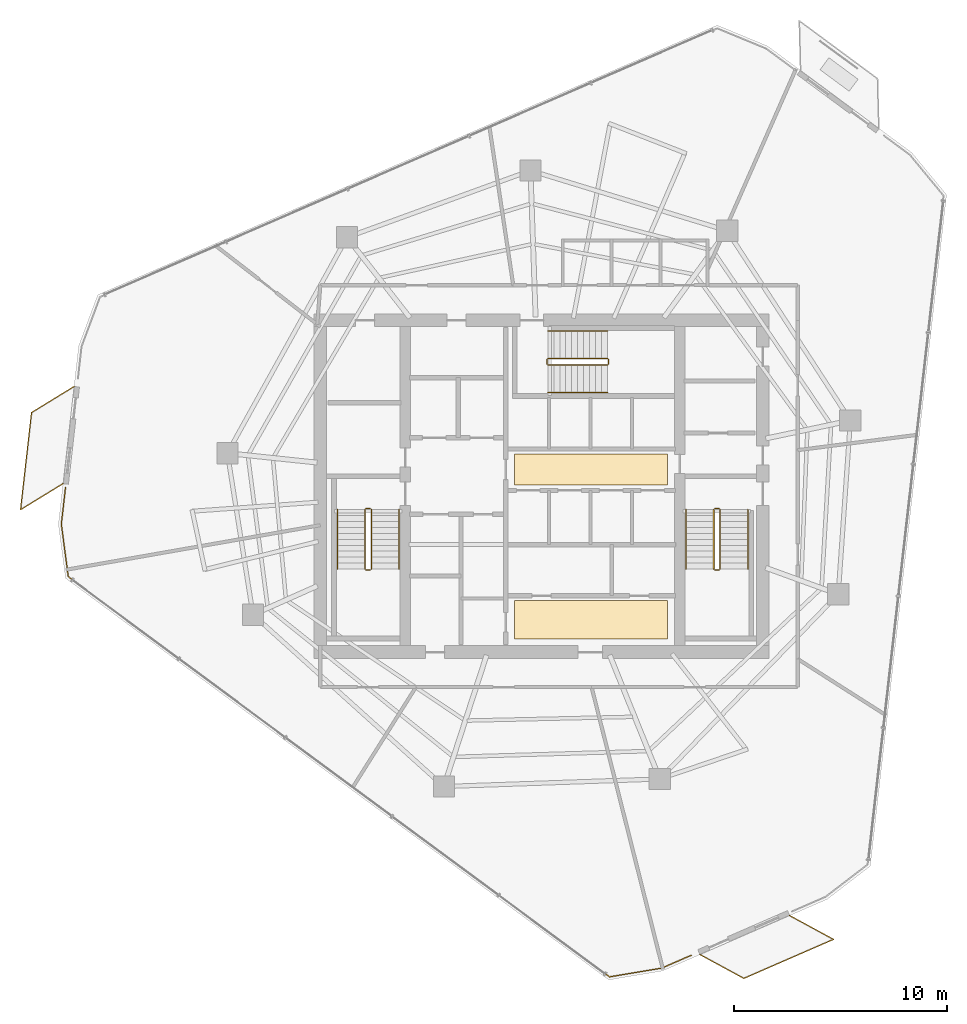
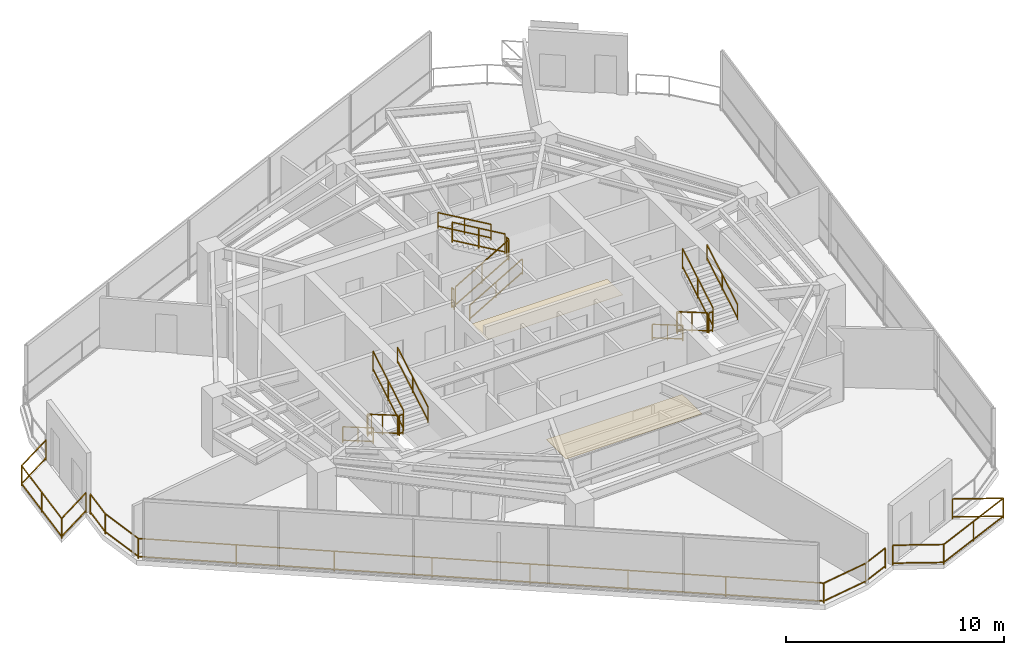
# One storey, part 21 of 22: 21 railings, 2 coverings.
"""IFC4 building model written with IfcOpenShell, lengths in metres."""

from ifc_helpers import new_model, si_unit, direction, frame, origin, origin_2d, place, context, subcontext, project, spatial, rectangle, extrude, material, layer, layer_set, type_object, element, save


model = new_model("IFC4")

# Units and contexts
model_context = context("Model", 3, precision=1e-05, world=origin(), true_north=direction((0.0, 1.0)))
body_context = subcontext(model_context, "Body", "Model", "MODEL_VIEW")
ifc_project = project(units=[si_unit("LENGTHUNIT", "METRE"), si_unit("AREAUNIT", "SQUARE_METRE"), si_unit("VOLUMEUNIT", "CUBIC_METRE"), si_unit("PLANEANGLEUNIT", "RADIAN"), si_unit("MASSUNIT", "GRAM", prefix="KILO")], contexts=[model_context])

# Site, building, storey
site_placement = place(None, origin())
site = spatial("IfcSite", under=ifc_project, at=site_placement, CompositionType="ELEMENT")
building_placement = place(site_placement, origin())
building = spatial("IfcBuilding", under=site, at=building_placement, Name="Qarnah Convention Tower", CompositionType="ELEMENT")
storey_placement = place(building_placement, frame((0.0, 0.0, 154.5)))
storey = spatial("IfcBuildingStorey", under=building, at=storey_placement, Name="L41", CompositionType="ELEMENT", Elevation=154.5)

# Coverings
ifc_material_1 = material(Name="Mineral fibre acoustic ceiling")
ifc_layer_1 = layer(ifc_material_1, 0.02001953125)
ifc_layer_set_1 = layer_set([ifc_layer_1], Name="Mineral fibre acoustic ceiling")
covering_type_1 = type_object("IfcCoveringType", Name="COV-CEIL-20", PredefinedType="CEILING", material=ifc_layer_set_1)
covering_1_placement = place(storey_placement, frame((39.52001953125, 27.179931640625, 2.2900390625), z_axis=(0.0, 0.0, 1.0), x_axis=(1.0, 0.0, 0.0)))
element("IfcCovering", 1, at=covering_1_placement, inside=storey, type_object=covering_type_1, Name="L41 lift lobby acoustic ceiling", PredefinedType="CEILING", context=body_context, shape_type="SweptSolid", body=[
    extrude(rectangle(XDim=7.199951171875, YDim=1.449951171875, at=origin_2d()), origin(), (0.0, 0.0, 1.0), 0.02001953125),
])
ifc_material_2 = material(Name="Porcelain stone floor tile", Category="masonry")
ifc_layer_2 = layer(ifc_material_2, 0.02001953125)
ifc_layer_set_2 = layer_set([ifc_layer_2], Name="Porcelain stone floor tile")
covering_type_2 = type_object("IfcCoveringType", Name="COV-FLOOR-20", PredefinedType="FLOORING", material=ifc_layer_set_2)
covering_2_placement = place(storey_placement, frame((39.52001953125, 20.1201171875, 0.0), z_axis=(0.0, 0.0, 1.0), x_axis=(1.0, 0.0, 0.0)))
element("IfcCovering", 2, at=covering_2_placement, inside=storey, type_object=covering_type_2, Name="L41 lift lobby porcelain stone flooring", PredefinedType="FLOORING", context=body_context, shape_type="SweptSolid", body=[
    extrude(rectangle(XDim=7.199951171875, YDim=1.800048828125, at=origin_2d()), origin(), (0.0, 0.0, 1.0), 0.02001953125),
])

# Railings
ifc_material_3 = material(Name="Black anodised aluminium", Category="aluminium")
railing_type_1 = type_object("IfcRailingType", Name="RL-EXT-GUARD-1150", PredefinedType="GUARDRAIL", material=ifc_material_3)
railing_1_placement = place(storey_placement, frame((44.24609375, 4.343994140625, 0.0)))
element("IfcRailing", 3, at=railing_1_placement, inside=storey, type_object=railing_type_1, Name="L41 slab-edge perimeter safety guard 03", PredefinedType="GUARDRAIL", context=body_context, shape_type="SweptSolid", body=[
    extrude(rectangle(XDim=0.048095703125, YDim=0.048095703125, at=origin_2d()), frame((0.0, 0.0, 1.1259765625), z_axis=(-0.917003613873, -0.398878894082, 0.0), x_axis=(0.398878894082, -0.917003613873, 0.0)), (0.0, 0.0, 1.0), 1.51904296875),
    extrude(rectangle(XDim=0.048095703125, YDim=0.048095703125, at=origin_2d()), frame((0.0, 0.0, 0.1201171875), z_axis=(-0.917003613873, -0.398878894082, 0.0), x_axis=(0.398878894082, -0.917003613873, 0.0)), (0.0, 0.0, 1.0), 1.51904296875),
    extrude(rectangle(XDim=0.048095703125, YDim=0.048095703125, at=origin_2d()), frame((-1.39306640625, -0.60595703125, 1.1259765625), z_axis=(-0.986234231899, -0.165354285794, 0.0), x_axis=(0.165354285794, -0.986234231899, 0.0)), (0.0, 0.0, 1.0), 2.486328125),
    extrude(rectangle(XDim=0.048095703125, YDim=0.048095703125, at=origin_2d()), frame((-1.39306640625, -0.60595703125, 0.1201171875), z_axis=(-0.986234231899, -0.165354285794, 0.0), x_axis=(0.165354285794, -0.986234231899, 0.0)), (0.0, 0.0, 1.0), 2.486328125),
    extrude(rectangle(XDim=0.048095703125, YDim=0.048095703125, at=origin_2d()), frame((-3.84521484375, -1.01708984375, 1.1259765625), z_axis=(-0.804054631043, 0.594555422394, 0.0), x_axis=(-0.594555422394, -0.804054631043, 0.0)), (0.0, 0.0, 1.0), 31.65576171875),
    extrude(rectangle(XDim=0.048095703125, YDim=0.048095703125, at=origin_2d()), frame((-3.84521484375, -1.01708984375, 0.1201171875), z_axis=(-0.804054631043, 0.594555422394, 0.0), x_axis=(-0.594555422394, -0.804054631043, 0.0)), (0.0, 0.0, 1.0), 31.65576171875),
    extrude(rectangle(XDim=0.048095703125, YDim=0.048095703125, at=origin_2d()), frame((-29.298095703125, 17.803955078125, 1.1259765625), z_axis=(-0.131127801985, 0.991365472238, 0.0), x_axis=(-0.991365472238, -0.131127801985, 0.0)), (0.0, 0.0, 1.0), 2.485595703125),
    extrude(rectangle(XDim=0.048095703125, YDim=0.048095703125, at=origin_2d()), frame((-29.298095703125, 17.803955078125, 0.1201171875), z_axis=(-0.131127801985, 0.991365472238, 0.0), x_axis=(-0.991365472238, -0.131127801985, 0.0)), (0.0, 0.0, 1.0), 2.485595703125),
    extrude(rectangle(XDim=0.048095703125, YDim=0.048095703125, at=origin_2d()), frame((-29.6240234375, 20.26806640625, 1.1259765625), z_axis=(0.112678406227, 0.99363150955, 0.0), x_axis=(-0.99363150955, 0.112678406227, 0.0)), (0.0, 0.0, 1.0), 1.72900390625),
    extrude(rectangle(XDim=0.048095703125, YDim=0.048095703125, at=origin_2d()), frame((-29.6240234375, 20.26806640625, 0.1201171875), z_axis=(0.112678406227, 0.99363150955, 0.0), x_axis=(-0.99363150955, 0.112678406227, 0.0)), (0.0, 0.0, 1.0), 1.72900390625),
    extrude(rectangle(XDim=0.0419921875, YDim=0.0419921875, at=origin_2d()), origin(), (0.0, 0.0, 1.0), 1.101806640625),
    extrude(rectangle(XDim=0.0419921875, YDim=0.0419921875, at=origin_2d()), frame((-1.39306640625, -0.60595703125, 0.0)), (0.0, 0.0, 1.0), 1.101806640625),
    extrude(rectangle(XDim=0.0419921875, YDim=0.0419921875, at=origin_2d()), frame((-3.84521484375, -1.01708984375, 0.0)), (0.0, 0.0, 1.0), 1.101806640625),
    extrude(rectangle(XDim=0.0419921875, YDim=0.0419921875, at=origin_2d()), frame((-7.4814453125, 1.671630859375, 0.0)), (0.0, 0.0, 1.0), 1.101806640625),
    extrude(rectangle(XDim=0.0419921875, YDim=0.0419921875, at=origin_2d()), frame((-11.117431640625, 4.3603515625, 0.0)), (0.0, 0.0, 1.0), 1.101806640625),
    extrude(rectangle(XDim=0.0419921875, YDim=0.0419921875, at=origin_2d()), frame((-14.753662109375, 7.049072265625, 0.0)), (0.0, 0.0, 1.0), 1.101806640625),
    extrude(rectangle(XDim=0.0419921875, YDim=0.0419921875, at=origin_2d()), frame((-18.3896484375, 9.73779296875, 0.0)), (0.0, 0.0, 1.0), 1.101806640625),
    extrude(rectangle(XDim=0.0419921875, YDim=0.0419921875, at=origin_2d()), frame((-22.02587890625, 12.426513671875, 0.0)), (0.0, 0.0, 1.0), 1.101806640625),
    extrude(rectangle(XDim=0.0419921875, YDim=0.0419921875, at=origin_2d()), frame((-25.661865234375, 15.115234375, 0.0)), (0.0, 0.0, 1.0), 1.101806640625),
    extrude(rectangle(XDim=0.0419921875, YDim=0.0419921875, at=origin_2d()), frame((-29.298095703125, 17.803955078125, 0.0)), (0.0, 0.0, 1.0), 1.101806640625),
    extrude(rectangle(XDim=0.0419921875, YDim=0.0419921875, at=origin_2d()), frame((-29.6240234375, 20.26806640625, 0.0)), (0.0, 0.0, 1.0), 1.101806640625),
    extrude(rectangle(XDim=0.0419921875, YDim=0.0419921875, at=origin_2d()), frame((-29.42919921875, 21.986083984375, 0.0)), (0.0, 0.0, 1.0), 1.101806640625),
])
railing_2_placement = place(storey_placement, frame((14.702880859375, 26.51806640625, 0.0)))
element("IfcRailing", 4, at=railing_2_placement, inside=storey, type_object=railing_type_1, Name="L41 balcony safety guard BAL-L41-C2", PredefinedType="GUARDRAIL", context=body_context, shape_type="SweptSolid", body=[
    extrude(rectangle(XDim=0.048095703125, YDim=0.048095703125, at=origin_2d()), frame((0.0, 0.0, 1.1259765625), z_axis=(-0.852478649535, -0.522762041552, 0.0), x_axis=(0.522762041552, -0.852478649535, 0.0)), (0.0, 0.0, 1.0), 2.34716796875),
    extrude(rectangle(XDim=0.048095703125, YDim=0.048095703125, at=origin_2d()), frame((0.0, 0.0, 0.1201171875), z_axis=(-0.852478649535, -0.522762041552, 0.0), x_axis=(0.522762041552, -0.852478649535, 0.0)), (0.0, 0.0, 1.0), 2.34716796875),
    extrude(rectangle(XDim=0.048095703125, YDim=0.048095703125, at=origin_2d()), frame((-2.0009765625, -1.22705078125, 1.1259765625), z_axis=(0.112825144944, 0.993614858317, 0.0), x_axis=(-0.993614858317, 0.112825144944, 0.0)), (0.0, 0.0, 1.0), 4.600341796875),
    extrude(rectangle(XDim=0.048095703125, YDim=0.048095703125, at=origin_2d()), frame((-2.0009765625, -1.22705078125, 0.1201171875), z_axis=(0.112825144944, 0.993614858317, 0.0), x_axis=(-0.993614858317, 0.112825144944, 0.0)), (0.0, 0.0, 1.0), 4.600341796875),
    extrude(rectangle(XDim=0.048095703125, YDim=0.048095703125, at=origin_2d()), frame((-1.48193359375, 3.343994140625, 1.1259765625), z_axis=(0.852478649535, 0.522762041552, 0.0), x_axis=(-0.522762041552, 0.852478649535, 0.0)), (0.0, 0.0, 1.0), 2.34716796875),
    extrude(rectangle(XDim=0.048095703125, YDim=0.048095703125, at=origin_2d()), frame((-1.48193359375, 3.343994140625, 0.1201171875), z_axis=(0.852478649535, 0.522762041552, 0.0), x_axis=(-0.522762041552, 0.852478649535, 0.0)), (0.0, 0.0, 1.0), 2.34716796875),
    extrude(rectangle(XDim=0.0419921875, YDim=0.0419921875, at=origin_2d()), origin(), (0.0, 0.0, 1.0), 1.101806640625),
    extrude(rectangle(XDim=0.0419921875, YDim=0.0419921875, at=origin_2d()), frame((-2.0009765625, -1.22705078125, 0.0)), (0.0, 0.0, 1.0), 1.101806640625),
    extrude(rectangle(XDim=0.0419921875, YDim=0.0419921875, at=origin_2d()), frame((-1.741455078125, 1.05859375, 0.0)), (0.0, 0.0, 1.0), 1.101806640625),
    extrude(rectangle(XDim=0.0419921875, YDim=0.0419921875, at=origin_2d()), frame((-1.48193359375, 3.343994140625, 0.0)), (0.0, 0.0, 1.0), 1.101806640625),
    extrude(rectangle(XDim=0.0419921875, YDim=0.0419921875, at=origin_2d()), frame((0.51904296875, 4.571044921875, 0.0)), (0.0, 0.0, 1.0), 1.101806640625),
])
railing_3_placement = place(storey_placement, frame((48.8701171875, 6.208984375, 0.0)))
element("IfcRailing", 5, at=railing_3_placement, inside=storey, type_object=railing_type_1, Name="L41 balcony safety guard BAL-L41-C3", PredefinedType="GUARDRAIL", context=body_context, shape_type="SweptSolid", body=[
    extrude(rectangle(XDim=0.048095703125, YDim=0.048095703125, at=origin_2d()), frame((0.0, 0.0, 1.1259765625), z_axis=(0.879034072482, -0.476758953158, 0.0), x_axis=(0.476758953158, 0.879034072482, 0.0)), (0.0, 0.0, 1.0), 2.346923828125),
    extrude(rectangle(XDim=0.048095703125, YDim=0.048095703125, at=origin_2d()), frame((0.0, 0.0, 0.1201171875), z_axis=(0.879034072482, -0.476758953158, 0.0), x_axis=(0.476758953158, 0.879034072482, 0.0)), (0.0, 0.0, 1.0), 2.346923828125),
    extrude(rectangle(XDim=0.048095703125, YDim=0.048095703125, at=origin_2d()), frame((2.06298828125, -1.118896484375, 1.1259765625), z_axis=(-0.916890250731, -0.399139409373, 0.0), x_axis=(0.399139409373, -0.916890250731, 0.0)), (0.0, 0.0, 1.0), 4.600341796875),
    extrude(rectangle(XDim=0.048095703125, YDim=0.048095703125, at=origin_2d()), frame((2.06298828125, -1.118896484375, 0.1201171875), z_axis=(-0.916890250731, -0.399139409373, 0.0), x_axis=(0.399139409373, -0.916890250731, 0.0)), (0.0, 0.0, 1.0), 4.600341796875),
    extrude(rectangle(XDim=0.048095703125, YDim=0.048095703125, at=origin_2d()), frame((-2.155029296875, -2.955078125, 1.1259765625), z_axis=(-0.878816051237, 0.477160715157, 0.0), x_axis=(-0.477160715157, -0.878816051237, 0.0)), (0.0, 0.0, 1.0), 2.347412109375),
    extrude(rectangle(XDim=0.048095703125, YDim=0.048095703125, at=origin_2d()), frame((-2.155029296875, -2.955078125, 0.1201171875), z_axis=(-0.878816051237, 0.477160715157, 0.0), x_axis=(-0.477160715157, -0.878816051237, 0.0)), (0.0, 0.0, 1.0), 2.347412109375),
    extrude(rectangle(XDim=0.0419921875, YDim=0.0419921875, at=origin_2d()), origin(), (0.0, 0.0, 1.0), 1.101806640625),
    extrude(rectangle(XDim=0.0419921875, YDim=0.0419921875, at=origin_2d()), frame((2.06298828125, -1.118896484375, 0.0)), (0.0, 0.0, 1.0), 1.101806640625),
    extrude(rectangle(XDim=0.0419921875, YDim=0.0419921875, at=origin_2d()), frame((-0.0458984375, -2.037109375, 0.0)), (0.0, 0.0, 1.0), 1.101806640625),
    extrude(rectangle(XDim=0.0419921875, YDim=0.0419921875, at=origin_2d()), frame((-2.155029296875, -2.955078125, 0.0)), (0.0, 0.0, 1.0), 1.101806640625),
    extrude(rectangle(XDim=0.0419921875, YDim=0.0419921875, at=origin_2d()), frame((-4.218017578125, -1.8349609375, 0.0)), (0.0, 0.0, 1.0), 1.101806640625),
])
ifc_material_4 = material(Name="Structural steel S355JR", Category="steel")
railing_type_2 = type_object("IfcRailingType", Name="RL-STAIR-GUARD-1150", PredefinedType="GUARDRAIL", material=ifc_material_4)
railing_4_placement = place(storey_placement, frame((28.89990234375, 25.300048828125, 0.16357421875)))
element("IfcRailing", 6, at=railing_4_placement, inside=storey, type_object=railing_type_2, Name="L41 ST-1 stair guard 1", PredefinedType="GUARDRAIL", context=body_context, shape_type="SweptSolid", body=[
    extrude(rectangle(XDim=0.048095703125, YDim=0.048095703125, at=origin_2d()), frame((0.0, 0.0, 1.1259765625), z_axis=(0.0, -0.863360870873, 0.504586966384), x_axis=(1.0, 0.0, 0.0)), (0.0, 0.0, 1.0), 3.2431640625),
    extrude(rectangle(XDim=0.048095703125, YDim=0.048095703125, at=origin_2d()), frame((0.0, 0.0, 0.1201171875), z_axis=(0.0, -0.863360870873, 0.504586966384), x_axis=(1.0, 0.0, 0.0)), (0.0, 0.0, 1.0), 3.2431640625),
    extrude(rectangle(XDim=0.0419921875, YDim=0.0419921875, at=origin_2d()), origin(), (0.0, 0.0, 1.0), 1.101806640625),
    extrude(rectangle(XDim=0.0419921875, YDim=0.0419921875, at=origin_2d()), frame((0.0, -1.39990234375, 0.818359375)), (0.0, 0.0, 1.0), 1.101806640625),
    extrude(rectangle(XDim=0.0419921875, YDim=0.0419921875, at=origin_2d()), frame((0.0, -2.800048828125, 1.636474609375)), (0.0, 0.0, 1.0), 1.101806640625),
])
railing_5_placement = place(storey_placement, frame((28.949951171875, 22.449951171875, 1.800048828125)))
element("IfcRailing", 7, at=railing_5_placement, inside=storey, type_object=railing_type_2, Name="L41 ST-1 stair guard 2", PredefinedType="GUARDRAIL", context=body_context, shape_type="SweptSolid", body=[
    extrude(rectangle(XDim=0.048095703125, YDim=0.048095703125, at=origin_2d()), frame((0.0, 0.0, 1.1259765625), z_axis=(1.0, 0.0, 0.0), x_axis=(0.0, 1.0, 0.0)), (0.0, 0.0, 1.0), 0.199951171875),
    extrude(rectangle(XDim=0.048095703125, YDim=0.048095703125, at=origin_2d()), frame((0.0, 0.0, 0.1201171875), z_axis=(1.0, 0.0, 0.0), x_axis=(0.0, 1.0, 0.0)), (0.0, 0.0, 1.0), 0.199951171875),
    extrude(rectangle(XDim=0.0419921875, YDim=0.0419921875, at=origin_2d()), origin(), (0.0, 0.0, 1.0), 1.101806640625),
    extrude(rectangle(XDim=0.0419921875, YDim=0.0419921875, at=origin_2d()), frame((0.199951171875, 0.0, 0.0)), (0.0, 0.0, 1.0), 1.101806640625),
])
railing_6_placement = place(storey_placement, frame((29.199951171875, 22.5, 1.963623046875)))
element("IfcRailing", 8, at=railing_6_placement, inside=storey, type_object=railing_type_2, Name="L41 ST-1 stair guard 3", PredefinedType="GUARDRAIL", context=body_context, shape_type="SweptSolid", body=[
    extrude(rectangle(XDim=0.048095703125, YDim=0.048095703125, at=origin_2d()), frame((0.0, 0.0, 1.1259765625), z_axis=(0.0, 0.863360870873, 0.504586966384), x_axis=(-1.0, 0.0, 0.0)), (0.0, 0.0, 1.0), 3.2431640625),
    extrude(rectangle(XDim=0.048095703125, YDim=0.048095703125, at=origin_2d()), frame((0.0, 0.0, 0.1201171875), z_axis=(0.0, 0.863360870873, 0.504586966384), x_axis=(-1.0, 0.0, 0.0)), (0.0, 0.0, 1.0), 3.2431640625),
    extrude(rectangle(XDim=0.0419921875, YDim=0.0419921875, at=origin_2d()), origin(), (0.0, 0.0, 1.0), 1.101806640625),
    extrude(rectangle(XDim=0.0419921875, YDim=0.0419921875, at=origin_2d()), frame((0.0, 1.39990234375, 0.818359375)), (0.0, 0.0, 1.0), 1.101806640625),
    extrude(rectangle(XDim=0.0419921875, YDim=0.0419921875, at=origin_2d()), frame((0.0, 2.800048828125, 1.636474609375)), (0.0, 0.0, 1.0), 1.101806640625),
])
railing_7_placement = place(storey_placement, frame((28.949951171875, 25.35009765625, 0.0)))
element("IfcRailing", 9, at=railing_7_placement, inside=storey, type_object=railing_type_2, Name="L41 ST-1 stair guard 4", PredefinedType="GUARDRAIL", context=body_context, shape_type="SweptSolid", body=[
    extrude(rectangle(XDim=0.048095703125, YDim=0.048095703125, at=origin_2d()), frame((0.0, 0.0, 1.1259765625), z_axis=(1.0, 0.0, 0.0), x_axis=(0.0, 1.0, 0.0)), (0.0, 0.0, 1.0), 0.199951171875),
    extrude(rectangle(XDim=0.048095703125, YDim=0.048095703125, at=origin_2d()), frame((0.0, 0.0, 0.1201171875), z_axis=(1.0, 0.0, 0.0), x_axis=(0.0, 1.0, 0.0)), (0.0, 0.0, 1.0), 0.199951171875),
    extrude(rectangle(XDim=0.0419921875, YDim=0.0419921875, at=origin_2d()), origin(), (0.0, 0.0, 1.0), 1.101806640625),
    extrude(rectangle(XDim=0.0419921875, YDim=0.0419921875, at=origin_2d()), frame((0.199951171875, 0.0, 0.0)), (0.0, 0.0, 1.0), 1.101806640625),
])
railing_8_placement = place(storey_placement, frame((45.300048828125, 25.300048828125, 0.16357421875)))
element("IfcRailing", 10, at=railing_8_placement, inside=storey, type_object=railing_type_2, Name="L41 ST-2 stair guard 1", PredefinedType="GUARDRAIL", context=body_context, shape_type="SweptSolid", body=[
    extrude(rectangle(XDim=0.048095703125, YDim=0.048095703125, at=origin_2d()), frame((0.0, 0.0, 1.1259765625), z_axis=(0.0, -0.863360870873, 0.504586966384), x_axis=(1.0, 0.0, 0.0)), (0.0, 0.0, 1.0), 3.2431640625),
    extrude(rectangle(XDim=0.048095703125, YDim=0.048095703125, at=origin_2d()), frame((0.0, 0.0, 0.1201171875), z_axis=(0.0, -0.863360870873, 0.504586966384), x_axis=(1.0, 0.0, 0.0)), (0.0, 0.0, 1.0), 3.2431640625),
    extrude(rectangle(XDim=0.0419921875, YDim=0.0419921875, at=origin_2d()), origin(), (0.0, 0.0, 1.0), 1.101806640625),
    extrude(rectangle(XDim=0.0419921875, YDim=0.0419921875, at=origin_2d()), frame((0.0, -1.39990234375, 0.818359375)), (0.0, 0.0, 1.0), 1.101806640625),
    extrude(rectangle(XDim=0.0419921875, YDim=0.0419921875, at=origin_2d()), frame((0.0, -2.800048828125, 1.636474609375)), (0.0, 0.0, 1.0), 1.101806640625),
])
railing_9_placement = place(storey_placement, frame((45.35009765625, 22.449951171875, 1.800048828125)))
element("IfcRailing", 11, at=railing_9_placement, inside=storey, type_object=railing_type_2, Name="L41 ST-2 stair guard 2", PredefinedType="GUARDRAIL", context=body_context, shape_type="SweptSolid", body=[
    extrude(rectangle(XDim=0.048095703125, YDim=0.048095703125, at=origin_2d()), frame((0.0, 0.0, 1.1259765625), z_axis=(1.0, 0.0, 0.0), x_axis=(0.0, 1.0, 0.0)), (0.0, 0.0, 1.0), 0.199951171875),
    extrude(rectangle(XDim=0.048095703125, YDim=0.048095703125, at=origin_2d()), frame((0.0, 0.0, 0.1201171875), z_axis=(1.0, 0.0, 0.0), x_axis=(0.0, 1.0, 0.0)), (0.0, 0.0, 1.0), 0.199951171875),
    extrude(rectangle(XDim=0.0419921875, YDim=0.0419921875, at=origin_2d()), origin(), (0.0, 0.0, 1.0), 1.101806640625),
    extrude(rectangle(XDim=0.0419921875, YDim=0.0419921875, at=origin_2d()), frame((0.199951171875, 0.0, 0.0)), (0.0, 0.0, 1.0), 1.101806640625),
])
railing_10_placement = place(storey_placement, frame((45.60009765625, 22.5, 1.963623046875)))
element("IfcRailing", 12, at=railing_10_placement, inside=storey, type_object=railing_type_2, Name="L41 ST-2 stair guard 3", PredefinedType="GUARDRAIL", context=body_context, shape_type="SweptSolid", body=[
    extrude(rectangle(XDim=0.048095703125, YDim=0.048095703125, at=origin_2d()), frame((0.0, 0.0, 1.1259765625), z_axis=(0.0, 0.863360870873, 0.504586966384), x_axis=(-1.0, 0.0, 0.0)), (0.0, 0.0, 1.0), 3.2431640625),
    extrude(rectangle(XDim=0.048095703125, YDim=0.048095703125, at=origin_2d()), frame((0.0, 0.0, 0.1201171875), z_axis=(0.0, 0.863360870873, 0.504586966384), x_axis=(-1.0, 0.0, 0.0)), (0.0, 0.0, 1.0), 3.2431640625),
    extrude(rectangle(XDim=0.0419921875, YDim=0.0419921875, at=origin_2d()), origin(), (0.0, 0.0, 1.0), 1.101806640625),
    extrude(rectangle(XDim=0.0419921875, YDim=0.0419921875, at=origin_2d()), frame((0.0, 1.39990234375, 0.818359375)), (0.0, 0.0, 1.0), 1.101806640625),
    extrude(rectangle(XDim=0.0419921875, YDim=0.0419921875, at=origin_2d()), frame((0.0, 2.800048828125, 1.636474609375)), (0.0, 0.0, 1.0), 1.101806640625),
])
railing_11_placement = place(storey_placement, frame((45.35009765625, 25.35009765625, 0.0)))
element("IfcRailing", 13, at=railing_11_placement, inside=storey, type_object=railing_type_2, Name="L41 ST-2 stair guard 4", PredefinedType="GUARDRAIL", context=body_context, shape_type="SweptSolid", body=[
    extrude(rectangle(XDim=0.048095703125, YDim=0.048095703125, at=origin_2d()), frame((0.0, 0.0, 1.1259765625), z_axis=(1.0, 0.0, 0.0), x_axis=(0.0, 1.0, 0.0)), (0.0, 0.0, 1.0), 0.199951171875),
    extrude(rectangle(XDim=0.048095703125, YDim=0.048095703125, at=origin_2d()), frame((0.0, 0.0, 0.1201171875), z_axis=(1.0, 0.0, 0.0), x_axis=(0.0, 1.0, 0.0)), (0.0, 0.0, 1.0), 0.199951171875),
    extrude(rectangle(XDim=0.0419921875, YDim=0.0419921875, at=origin_2d()), origin(), (0.0, 0.0, 1.0), 1.101806640625),
    extrude(rectangle(XDim=0.0419921875, YDim=0.0419921875, at=origin_2d()), frame((0.199951171875, 0.0, 0.0)), (0.0, 0.0, 1.0), 1.101806640625),
])
railing_12_placement = place(storey_placement, frame((37.5, 32.10009765625, 0.16357421875)))
element("IfcRailing", 14, at=railing_12_placement, inside=storey, type_object=railing_type_2, Name="L41 ST-3 stair guard 1", PredefinedType="GUARDRAIL", context=body_context, shape_type="SweptSolid", body=[
    extrude(rectangle(XDim=0.048095703125, YDim=0.048095703125, at=origin_2d()), frame((0.0, 0.0, 1.1259765625), z_axis=(0.863360870873, 0.0, 0.504586966384), x_axis=(0.0, 1.0, 0.0)), (0.0, 0.0, 1.0), 3.2431640625),
    extrude(rectangle(XDim=0.048095703125, YDim=0.048095703125, at=origin_2d()), frame((0.0, 0.0, 0.1201171875), z_axis=(0.863360870873, 0.0, 0.504586966384), x_axis=(0.0, 1.0, 0.0)), (0.0, 0.0, 1.0), 3.2431640625),
    extrude(rectangle(XDim=0.0419921875, YDim=0.0419921875, at=origin_2d()), origin(), (0.0, 0.0, 1.0), 1.101806640625),
    extrude(rectangle(XDim=0.0419921875, YDim=0.0419921875, at=origin_2d()), frame((1.39990234375, 0.0, 0.818359375)), (0.0, 0.0, 1.0), 1.101806640625),
    extrude(rectangle(XDim=0.0419921875, YDim=0.0419921875, at=origin_2d()), frame((2.800048828125, 0.0, 1.636474609375)), (0.0, 0.0, 1.0), 1.101806640625),
])
railing_13_placement = place(storey_placement, frame((40.35009765625, 32.14990234375, 1.800048828125)))
element("IfcRailing", 15, at=railing_13_placement, inside=storey, type_object=railing_type_2, Name="L41 ST-3 stair guard 2", PredefinedType="GUARDRAIL", context=body_context, shape_type="SweptSolid", body=[
    extrude(rectangle(XDim=0.048095703125, YDim=0.048095703125, at=origin_2d()), frame((0.0, 0.0, 1.1259765625), z_axis=(0.0, 1.0, 0.0), x_axis=(-1.0, 0.0, 0.0)), (0.0, 0.0, 1.0), 0.2001953125),
    extrude(rectangle(XDim=0.048095703125, YDim=0.048095703125, at=origin_2d()), frame((0.0, 0.0, 0.1201171875), z_axis=(0.0, 1.0, 0.0), x_axis=(-1.0, 0.0, 0.0)), (0.0, 0.0, 1.0), 0.2001953125),
    extrude(rectangle(XDim=0.0419921875, YDim=0.0419921875, at=origin_2d()), origin(), (0.0, 0.0, 1.0), 1.101806640625),
    extrude(rectangle(XDim=0.0419921875, YDim=0.0419921875, at=origin_2d()), frame((0.0, 0.2001953125, 0.0)), (0.0, 0.0, 1.0), 1.101806640625),
])
railing_14_placement = place(storey_placement, frame((40.300048828125, 32.39990234375, 1.963623046875)))
element("IfcRailing", 16, at=railing_14_placement, inside=storey, type_object=railing_type_2, Name="L41 ST-3 stair guard 3", PredefinedType="GUARDRAIL", context=body_context, shape_type="SweptSolid", body=[
    extrude(rectangle(XDim=0.048095703125, YDim=0.048095703125, at=origin_2d()), frame((0.0, 0.0, 1.1259765625), z_axis=(-0.863360870873, 0.0, 0.504586966384), x_axis=(0.0, -1.0, 0.0)), (0.0, 0.0, 1.0), 3.2431640625),
    extrude(rectangle(XDim=0.048095703125, YDim=0.048095703125, at=origin_2d()), frame((0.0, 0.0, 0.1201171875), z_axis=(-0.863360870873, 0.0, 0.504586966384), x_axis=(0.0, -1.0, 0.0)), (0.0, 0.0, 1.0), 3.2431640625),
    extrude(rectangle(XDim=0.0419921875, YDim=0.0419921875, at=origin_2d()), origin(), (0.0, 0.0, 1.0), 1.101806640625),
    extrude(rectangle(XDim=0.0419921875, YDim=0.0419921875, at=origin_2d()), frame((-1.39990234375, 0.0, 0.818359375)), (0.0, 0.0, 1.0), 1.101806640625),
    extrude(rectangle(XDim=0.0419921875, YDim=0.0419921875, at=origin_2d()), frame((-2.800048828125, 0.0, 1.636474609375)), (0.0, 0.0, 1.0), 1.101806640625),
])
railing_15_placement = place(storey_placement, frame((37.449951171875, 32.14990234375, 0.0)))
element("IfcRailing", 17, at=railing_15_placement, inside=storey, type_object=railing_type_2, Name="L41 ST-3 stair guard 4", PredefinedType="GUARDRAIL", context=body_context, shape_type="SweptSolid", body=[
    extrude(rectangle(XDim=0.048095703125, YDim=0.048095703125, at=origin_2d()), frame((0.0, 0.0, 1.1259765625), z_axis=(0.0, 1.0, 0.0), x_axis=(-1.0, 0.0, 0.0)), (0.0, 0.0, 1.0), 0.2001953125),
    extrude(rectangle(XDim=0.048095703125, YDim=0.048095703125, at=origin_2d()), frame((0.0, 0.0, 0.1201171875), z_axis=(0.0, 1.0, 0.0), x_axis=(-1.0, 0.0, 0.0)), (0.0, 0.0, 1.0), 0.2001953125),
    extrude(rectangle(XDim=0.0419921875, YDim=0.0419921875, at=origin_2d()), origin(), (0.0, 0.0, 1.0), 1.101806640625),
    extrude(rectangle(XDim=0.0419921875, YDim=0.0419921875, at=origin_2d()), frame((0.0, 0.2001953125, 0.0)), (0.0, 0.0, 1.0), 1.101806640625),
])
railing_type_3 = type_object("IfcRailingType", Name="RL-STAIR-HAND-900", PredefinedType="HANDRAIL", material=ifc_material_4)
railing_16_placement = place(storey_placement, frame((27.60009765625, 25.300048828125, 0.16357421875)))
element("IfcRailing", 18, at=railing_16_placement, inside=storey, type_object=railing_type_3, Name="L41 ST-1 stair handrail 1", PredefinedType="HANDRAIL", context=body_context, shape_type="SweptSolid", body=[
    extrude(rectangle(XDim=0.048095703125, YDim=0.048095703125, at=origin_2d()), frame((0.0, 0.0, 0.8759765625), z_axis=(0.0, -0.863360870873, 0.504586966384), x_axis=(1.0, 0.0, 0.0)), (0.0, 0.0, 1.0), 3.2431640625),
    extrude(rectangle(XDim=0.048095703125, YDim=0.048095703125, at=origin_2d()), frame((0.0, 0.0, 0.1201171875), z_axis=(0.0, -0.863360870873, 0.504586966384), x_axis=(1.0, 0.0, 0.0)), (0.0, 0.0, 1.0), 3.2431640625),
    extrude(rectangle(XDim=0.0419921875, YDim=0.0419921875, at=origin_2d()), origin(), (0.0, 0.0, 1.0), 0.851806640625),
    extrude(rectangle(XDim=0.0419921875, YDim=0.0419921875, at=origin_2d()), frame((0.0, -1.39990234375, 0.818359375)), (0.0, 0.0, 1.0), 0.851806640625),
    extrude(rectangle(XDim=0.0419921875, YDim=0.0419921875, at=origin_2d()), frame((0.0, -2.800048828125, 1.636474609375)), (0.0, 0.0, 1.0), 0.851806640625),
])
railing_17_placement = place(storey_placement, frame((30.5, 22.5, 1.963623046875)))
element("IfcRailing", 19, at=railing_17_placement, inside=storey, type_object=railing_type_3, Name="L41 ST-1 stair handrail 2", PredefinedType="HANDRAIL", context=body_context, shape_type="SweptSolid", body=[
    extrude(rectangle(XDim=0.048095703125, YDim=0.048095703125, at=origin_2d()), frame((0.0, 0.0, 0.8759765625), z_axis=(0.0, 0.863360870873, 0.504586966384), x_axis=(-1.0, 0.0, 0.0)), (0.0, 0.0, 1.0), 3.2431640625),
    extrude(rectangle(XDim=0.048095703125, YDim=0.048095703125, at=origin_2d()), frame((0.0, 0.0, 0.1201171875), z_axis=(0.0, 0.863360870873, 0.504586966384), x_axis=(-1.0, 0.0, 0.0)), (0.0, 0.0, 1.0), 3.2431640625),
    extrude(rectangle(XDim=0.0419921875, YDim=0.0419921875, at=origin_2d()), origin(), (0.0, 0.0, 1.0), 0.851806640625),
    extrude(rectangle(XDim=0.0419921875, YDim=0.0419921875, at=origin_2d()), frame((0.0, 1.39990234375, 0.818359375)), (0.0, 0.0, 1.0), 0.851806640625),
    extrude(rectangle(XDim=0.0419921875, YDim=0.0419921875, at=origin_2d()), frame((0.0, 2.800048828125, 1.636474609375)), (0.0, 0.0, 1.0), 0.851806640625),
])
railing_18_placement = place(storey_placement, frame((44.0, 25.300048828125, 0.16357421875)))
element("IfcRailing", 20, at=railing_18_placement, inside=storey, type_object=railing_type_3, Name="L41 ST-2 stair handrail 1", PredefinedType="HANDRAIL", context=body_context, shape_type="SweptSolid", body=[
    extrude(rectangle(XDim=0.048095703125, YDim=0.048095703125, at=origin_2d()), frame((0.0, 0.0, 0.8759765625), z_axis=(0.0, -0.863360870873, 0.504586966384), x_axis=(1.0, 0.0, 0.0)), (0.0, 0.0, 1.0), 3.2431640625),
    extrude(rectangle(XDim=0.048095703125, YDim=0.048095703125, at=origin_2d()), frame((0.0, 0.0, 0.1201171875), z_axis=(0.0, -0.863360870873, 0.504586966384), x_axis=(1.0, 0.0, 0.0)), (0.0, 0.0, 1.0), 3.2431640625),
    extrude(rectangle(XDim=0.0419921875, YDim=0.0419921875, at=origin_2d()), origin(), (0.0, 0.0, 1.0), 0.851806640625),
    extrude(rectangle(XDim=0.0419921875, YDim=0.0419921875, at=origin_2d()), frame((0.0, -1.39990234375, 0.818359375)), (0.0, 0.0, 1.0), 0.851806640625),
    extrude(rectangle(XDim=0.0419921875, YDim=0.0419921875, at=origin_2d()), frame((0.0, -2.800048828125, 1.636474609375)), (0.0, 0.0, 1.0), 0.851806640625),
])
railing_19_placement = place(storey_placement, frame((46.89990234375, 22.5, 1.963623046875)))
element("IfcRailing", 21, at=railing_19_placement, inside=storey, type_object=railing_type_3, Name="L41 ST-2 stair handrail 2", PredefinedType="HANDRAIL", context=body_context, shape_type="SweptSolid", body=[
    extrude(rectangle(XDim=0.048095703125, YDim=0.048095703125, at=origin_2d()), frame((0.0, 0.0, 0.8759765625), z_axis=(0.0, 0.863360870873, 0.504586966384), x_axis=(-1.0, 0.0, 0.0)), (0.0, 0.0, 1.0), 3.2431640625),
    extrude(rectangle(XDim=0.048095703125, YDim=0.048095703125, at=origin_2d()), frame((0.0, 0.0, 0.1201171875), z_axis=(0.0, 0.863360870873, 0.504586966384), x_axis=(-1.0, 0.0, 0.0)), (0.0, 0.0, 1.0), 3.2431640625),
    extrude(rectangle(XDim=0.0419921875, YDim=0.0419921875, at=origin_2d()), origin(), (0.0, 0.0, 1.0), 0.851806640625),
    extrude(rectangle(XDim=0.0419921875, YDim=0.0419921875, at=origin_2d()), frame((0.0, 1.39990234375, 0.818359375)), (0.0, 0.0, 1.0), 0.851806640625),
    extrude(rectangle(XDim=0.0419921875, YDim=0.0419921875, at=origin_2d()), frame((0.0, 2.800048828125, 1.636474609375)), (0.0, 0.0, 1.0), 0.851806640625),
])
railing_20_placement = place(storey_placement, frame((37.5, 30.800048828125, 0.16357421875)))
element("IfcRailing", 22, at=railing_20_placement, inside=storey, type_object=railing_type_3, Name="L41 ST-3 stair handrail 1", PredefinedType="HANDRAIL", context=body_context, shape_type="SweptSolid", body=[
    extrude(rectangle(XDim=0.048095703125, YDim=0.048095703125, at=origin_2d()), frame((0.0, 0.0, 0.8759765625), z_axis=(0.863360870873, 0.0, 0.504586966384), x_axis=(0.0, 1.0, 0.0)), (0.0, 0.0, 1.0), 3.2431640625),
    extrude(rectangle(XDim=0.048095703125, YDim=0.048095703125, at=origin_2d()), frame((0.0, 0.0, 0.1201171875), z_axis=(0.863360870873, 0.0, 0.504586966384), x_axis=(0.0, 1.0, 0.0)), (0.0, 0.0, 1.0), 3.2431640625),
    extrude(rectangle(XDim=0.0419921875, YDim=0.0419921875, at=origin_2d()), origin(), (0.0, 0.0, 1.0), 0.851806640625),
    extrude(rectangle(XDim=0.0419921875, YDim=0.0419921875, at=origin_2d()), frame((1.39990234375, 0.0, 0.818359375)), (0.0, 0.0, 1.0), 0.851806640625),
    extrude(rectangle(XDim=0.0419921875, YDim=0.0419921875, at=origin_2d()), frame((2.800048828125, 0.0, 1.636474609375)), (0.0, 0.0, 1.0), 0.851806640625),
])
railing_21_placement = place(storey_placement, frame((40.300048828125, 33.699951171875, 1.963623046875)))
element("IfcRailing", 23, at=railing_21_placement, inside=storey, type_object=railing_type_3, Name="L41 ST-3 stair handrail 2", PredefinedType="HANDRAIL", context=body_context, shape_type="SweptSolid", body=[
    extrude(rectangle(XDim=0.048095703125, YDim=0.048095703125, at=origin_2d()), frame((0.0, 0.0, 0.8759765625), z_axis=(-0.863360870873, 0.0, 0.504586966384), x_axis=(0.0, -1.0, 0.0)), (0.0, 0.0, 1.0), 3.2431640625),
    extrude(rectangle(XDim=0.048095703125, YDim=0.048095703125, at=origin_2d()), frame((0.0, 0.0, 0.1201171875), z_axis=(-0.863360870873, 0.0, 0.504586966384), x_axis=(0.0, -1.0, 0.0)), (0.0, 0.0, 1.0), 3.2431640625),
    extrude(rectangle(XDim=0.0419921875, YDim=0.0419921875, at=origin_2d()), origin(), (0.0, 0.0, 1.0), 0.851806640625),
    extrude(rectangle(XDim=0.0419921875, YDim=0.0419921875, at=origin_2d()), frame((-1.39990234375, 0.0, 0.818359375)), (0.0, 0.0, 1.0), 0.851806640625),
    extrude(rectangle(XDim=0.0419921875, YDim=0.0419921875, at=origin_2d()), frame((-2.800048828125, 0.0, 1.636474609375)), (0.0, 0.0, 1.0), 0.851806640625),
])

save(model, "model.ifc")
